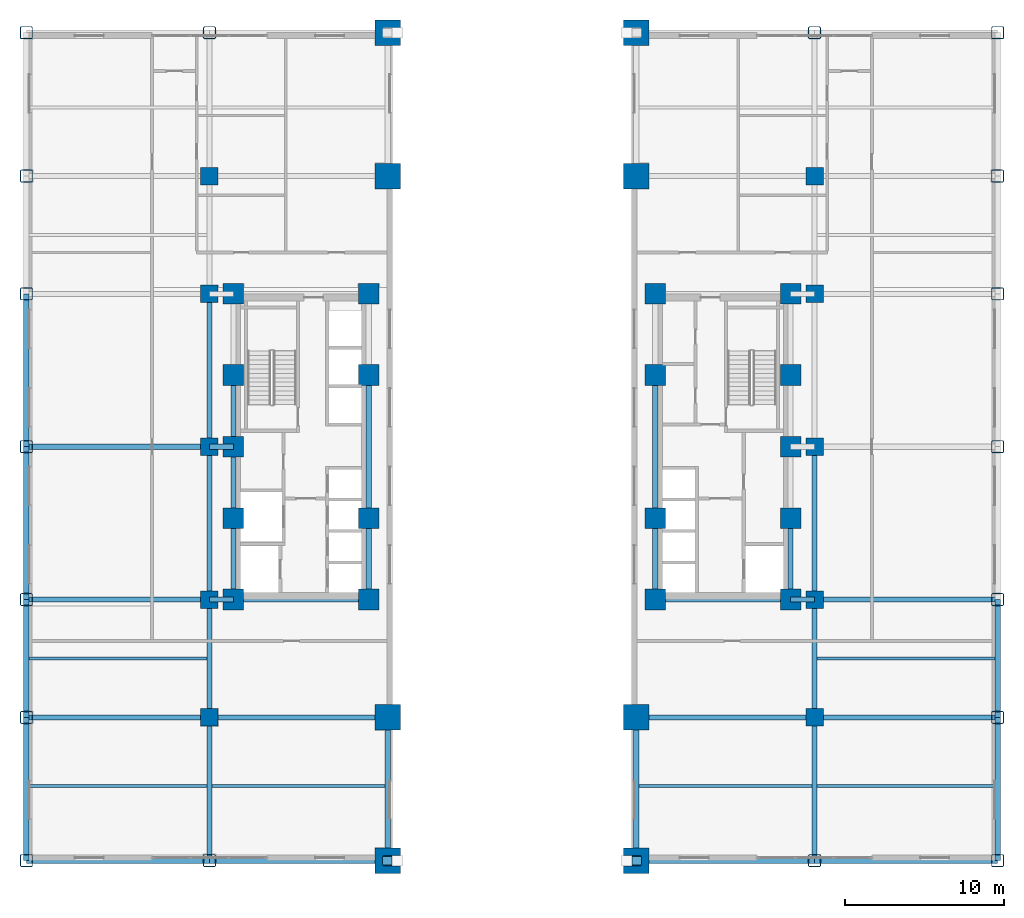
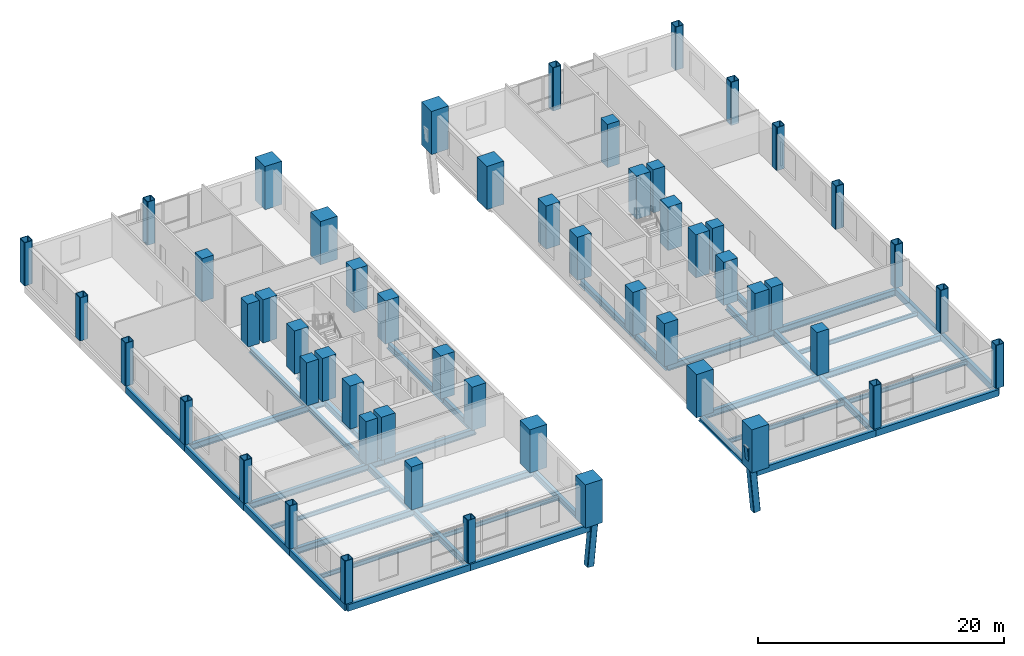
# One storey, part 1 of 15: 54 columns, 47 beams.
"""IFC4 building model written with IfcOpenShell, lengths in metres."""

from ifc_helpers import new_model, si_unit, direction, frame, origin, origin_2d, place, context, subcontext, project, spatial, rectangle, hollow_rectangle, i_section, extrude, material, material_profile, profile_set, type_object, element, save


model = new_model("IFC4")

# Units and contexts
model_context = context("Model", 3, precision=1e-05, world=origin(), true_north=direction((0.0, 1.0)))
body_context = subcontext(model_context, "Body", "Model", "MODEL_VIEW")
ifc_project = project(units=[si_unit("LENGTHUNIT", "METRE"), si_unit("AREAUNIT", "SQUARE_METRE"), si_unit("VOLUMEUNIT", "CUBIC_METRE"), si_unit("PLANEANGLEUNIT", "RADIAN"), si_unit("MASSUNIT", "GRAM", prefix="KILO")], contexts=[model_context])

# Site, building, storey
site_placement = place(None, origin())
site = spatial("IfcSite", under=ifc_project, at=site_placement, CompositionType="ELEMENT")
building_placement = place(site_placement, origin())
building = spatial("IfcBuilding", under=site, at=building_placement, Name="Nuvemarco Arch Tower", CompositionType="ELEMENT")
storey_placement = place(building_placement, frame((0.0, 0.0, 4.60009765625)))
storey = spatial("IfcBuildingStorey", under=building, at=storey_placement, Name="L01", CompositionType="ELEMENT", Elevation=4.60009765625)

# Columns
ifc_material_1 = material(Name="Concrete C60/75", Category="concrete")
ifc_material_profile_1 = material_profile(ifc_material_1, rectangle(XDim=1.10009765625, YDim=1.10009765625, at=origin_2d()), Name="RC-COL-1100x1100")
ifc_profile_set_1 = profile_set([ifc_material_profile_1], Name="Concrete C60/75")
column_type_1 = type_object("IfcColumnType", Name="COL-CORE-1100", PredefinedType="COLUMN", material=ifc_profile_set_1)
for number, where, z_axis, x_axis, name in (
    (1, (-19.0, -17.0, 0.0), (0.0, 0.0, 1.0), (1.0, 0.0, 0.0), "L01 column CP_-19.0_-17.0"),
    (2, (-19.0, -9.60009765625, 0.0), (0.0, 0.0, 1.0), (1.0, 0.0, 0.0), "L01 column CP_-19.0_-9.6"),
    (3, (-19.0, 0.0, 0.0), (0.0, 0.0, 1.0), (1.0, 0.0, 0.0), "L01 column CP_-19.0_+0.0"),
    (4, (-19.0, 9.60009765625, 0.0), (0.0, 0.0, 1.0), (1.0, 0.0, 0.0), "L01 column CP_-19.0_+9.6"),
    (5, (-19.0, 17.0, 0.0), (0.0, 0.0, 1.0), (1.0, 0.0, 0.0), "L01 column CP_-19.0_+17.0"),
    (6, (19.0, -17.0, 0.0), (0.0, 0.0, 1.0), (1.0, 0.0, 0.0), "L01 column CP_+19.0_-17.0"),
    (7, (19.0, -9.60009765625, 0.0), (0.0, 0.0, 1.0), (1.0, 0.0, 0.0), "L01 column CP_+19.0_-9.6"),
    (8, (19.0, 0.0, 0.0), (0.0, 0.0, 1.0), (1.0, 0.0, 0.0), "L01 column CP_+19.0_+0.0"),
    (9, (19.0, 9.60009765625, 0.0), (0.0, 0.0, 1.0), (1.0, 0.0, 0.0), "L01 column CP_+19.0_+9.6"),
    (10, (19.0, 17.0, 0.0), (0.0, 0.0, 1.0), (1.0, 0.0, 0.0), "L01 column CP_+19.0_+17.0"),
):
    element("IfcColumn", number, at=place(storey_placement, frame(where, z_axis=z_axis, x_axis=x_axis)), inside=storey, type_object=column_type_1, Name=name, PredefinedType="COLUMN", context=body_context, shape_type="SweptSolid", body=[
        extrude(rectangle(XDim=1.10009765625, YDim=1.10009765625, at=origin_2d()), origin(), (0.0, 0.0, 1.0), 4.27978515625),
    ])
ifc_material_profile_2 = material_profile(ifc_material_1, rectangle(XDim=1.300048828125, YDim=1.300048828125, at=origin_2d()), Name="RC-COL-1300x1300")
ifc_profile_set_2 = profile_set([ifc_material_profile_2], Name="Concrete C60/75")
column_type_2 = type_object("IfcColumnType", Name="COL-CORE-1300", PredefinedType="COLUMN", material=ifc_profile_set_2)
for number, where, z_axis, x_axis, name in (
    (11, (-17.5, -9.60009765625, 0.0), (0.0, 0.0, 1.0), (1.0, 0.0, 0.0), "L01 column CC_-17.5_-9.6"),
    (12, (-17.5, -4.5, 0.0), (0.0, 0.0, 1.0), (1.0, 0.0, 0.0), "L01 column CC_-17.5_-4.5"),
    (13, (-17.5, 4.5, 0.0), (0.0, 0.0, 1.0), (1.0, 0.0, 0.0), "L01 column CC_-17.5_+4.5"),
    (14, (-17.5, 9.60009765625, 0.0), (0.0, 0.0, 1.0), (1.0, 0.0, 0.0), "L01 column CC_-17.5_+9.6"),
    (15, (-9.0, -9.60009765625, 0.0), (0.0, 0.0, 1.0), (1.0, 0.0, 0.0), "L01 column CC_-9.0_-9.6"),
    (16, (-9.0, -4.5, 0.0), (0.0, 0.0, 1.0), (1.0, 0.0, 0.0), "L01 column CC_-9.0_-4.5"),
    (17, (-9.0, 4.5, 0.0), (0.0, 0.0, 1.0), (1.0, 0.0, 0.0), "L01 column CC_-9.0_+4.5"),
    (18, (-9.0, 9.60009765625, 0.0), (0.0, 0.0, 1.0), (1.0, 0.0, 0.0), "L01 column CC_-9.0_+9.6"),
    (19, (9.0, -9.60009765625, 0.0), (0.0, 0.0, 1.0), (1.0, 0.0, 0.0), "L01 column CC_+9.0_-9.6"),
    (20, (9.0, -4.5, 0.0), (0.0, 0.0, 1.0), (1.0, 0.0, 0.0), "L01 column CC_+9.0_-4.5"),
    (21, (9.0, 4.5, 0.0), (0.0, 0.0, 1.0), (1.0, 0.0, 0.0), "L01 column CC_+9.0_+4.5"),
    (22, (9.0, 9.60009765625, 0.0), (0.0, 0.0, 1.0), (1.0, 0.0, 0.0), "L01 column CC_+9.0_+9.6"),
    (23, (17.5, -9.60009765625, 0.0), (0.0, 0.0, 1.0), (1.0, 0.0, 0.0), "L01 column CC_+17.5_-9.6"),
    (24, (17.5, -4.5, 0.0), (0.0, 0.0, 1.0), (1.0, 0.0, 0.0), "L01 column CC_+17.5_-4.5"),
    (25, (17.5, 4.5, 0.0), (0.0, 0.0, 1.0), (1.0, 0.0, 0.0), "L01 column CC_+17.5_+4.5"),
    (26, (17.5, 9.60009765625, 0.0), (0.0, 0.0, 1.0), (1.0, 0.0, 0.0), "L01 column CC_+17.5_+9.6"),
    (27, (-17.5, 0.0, 0.0), (0.0, 0.0, 1.0), (1.0, 0.0, 0.0), "L01 column CC_-17.5_+0.0"),
    (28, (17.5, 0.0, 0.0), (0.0, 0.0, 1.0), (1.0, 0.0, 0.0), "L01 column CC_+17.5_+0.0"),
):
    element("IfcColumn", number, at=place(storey_placement, frame(where, z_axis=z_axis, x_axis=x_axis)), inside=storey, type_object=column_type_2, Name=name, PredefinedType="COLUMN", context=body_context, shape_type="SweptSolid", body=[
        extrude(rectangle(XDim=1.300048828125, YDim=1.300048828125, at=origin_2d()), origin(), (0.0, 0.0, 1.0), 4.27978515625),
    ])
ifc_material_2 = material(Name="Steel S460", Category="steel")
ifc_material_profile_3 = material_profile(ifc_material_2, hollow_rectangle(XDim=0.800048828125, YDim=0.800048828125, WallThickness=0.054931640625, InnerFilletRadius=0.054931640625, OuterFilletRadius=0.110107421875, at=origin_2d()), Name="SHS800x800x55")
ifc_profile_set_3 = profile_set([ifc_material_profile_3], Name="Steel S460")
column_type_3 = type_object("IfcColumnType", Name="COL-EXO-800", PredefinedType="COLUMN", material=ifc_profile_set_3)
for number, where, z_axis, x_axis, name in (
    (29, (-30.5, -26.0, 0.0), (0.0, 0.0, 1.0), (1.0, 0.0, 0.0), "L01 column CP_-30.5_-26.0"),
    (30, (-30.5, -17.0, 0.0), (0.0, 0.0, 1.0), (1.0, 0.0, 0.0), "L01 column CP_-30.5_-17.0"),
    (31, (-30.5, -9.60009765625, 0.0), (0.0, 0.0, 1.0), (1.0, 0.0, 0.0), "L01 column CP_-30.5_-9.6"),
    (32, (-30.5, 0.0, 0.0), (0.0, 0.0, 1.0), (1.0, 0.0, 0.0), "L01 column CP_-30.5_+0.0"),
    (33, (-30.5, 9.60009765625, 0.0), (0.0, 0.0, 1.0), (1.0, 0.0, 0.0), "L01 column CP_-30.5_+9.6"),
    (34, (-30.5, 17.0, 0.0), (0.0, 0.0, 1.0), (1.0, 0.0, 0.0), "L01 column CP_-30.5_+17.0"),
    (35, (-30.5, 26.0, 0.0), (0.0, 0.0, 1.0), (1.0, 0.0, 0.0), "L01 column CP_-30.5_+26.0"),
    (36, (-19.0, -26.0, 0.0), (0.0, 0.0, 1.0), (1.0, 0.0, 0.0), "L01 column CP_-19.0_-26.0"),
    (37, (-19.0, 26.0, 0.0), (0.0, 0.0, 1.0), (1.0, 0.0, 0.0), "L01 column CP_-19.0_+26.0"),
    (38, (19.0, -26.0, 0.0), (0.0, 0.0, 1.0), (1.0, 0.0, 0.0), "L01 column CP_+19.0_-26.0"),
    (39, (19.0, 26.0, 0.0), (0.0, 0.0, 1.0), (1.0, 0.0, 0.0), "L01 column CP_+19.0_+26.0"),
    (40, (30.5, -26.0, 0.0), (0.0, 0.0, 1.0), (1.0, 0.0, 0.0), "L01 column CP_+30.5_-26.0"),
    (41, (30.5, -17.0, 0.0), (0.0, 0.0, 1.0), (1.0, 0.0, 0.0), "L01 column CP_+30.5_-17.0"),
    (42, (30.5, -9.60009765625, 0.0), (0.0, 0.0, 1.0), (1.0, 0.0, 0.0), "L01 column CP_+30.5_-9.6"),
    (43, (30.5, 0.0, 0.0), (0.0, 0.0, 1.0), (1.0, 0.0, 0.0), "L01 column CP_+30.5_+0.0"),
    (44, (30.5, 9.60009765625, 0.0), (0.0, 0.0, 1.0), (1.0, 0.0, 0.0), "L01 column CP_+30.5_+9.6"),
    (45, (30.5, 17.0, 0.0), (0.0, 0.0, 1.0), (1.0, 0.0, 0.0), "L01 column CP_+30.5_+17.0"),
    (46, (30.5, 26.0, 0.0), (0.0, 0.0, 1.0), (1.0, 0.0, 0.0), "L01 column CP_+30.5_+26.0"),
):
    element("IfcColumn", number, at=place(storey_placement, frame(where, z_axis=z_axis, x_axis=x_axis)), inside=storey, type_object=column_type_3, Name=name, PredefinedType="COLUMN", context=body_context, shape_type="SweptSolid", body=[
        extrude(hollow_rectangle(XDim=0.800048828125, YDim=0.800048828125, WallThickness=0.054931640625, InnerFilletRadius=0.054931640625, OuterFilletRadius=0.110107421875, at=origin_2d()), origin(), (0.0, 0.0, 1.0), 4.27978515625),
    ])
ifc_material_profile_4 = material_profile(ifc_material_1, rectangle(XDim=1.60009765625, YDim=1.60009765625, at=origin_2d()), Name="RC-COL-1600x1600")
ifc_profile_set_4 = profile_set([ifc_material_profile_4], Name="Concrete C60/75")
column_type_4 = type_object("IfcColumnType", Name="COL-MEGA-1600-EXT", PredefinedType="COLUMN", material=ifc_profile_set_4)
for number, where, z_axis, x_axis, name in (
    (47, (-7.800048828125, -26.0, 0.0), (0.0, 0.0, 1.0), (1.0, 0.0, 0.0), "L01 column CM_-7.8_-26.0"),
    (48, (-7.800048828125, -17.0, 0.0), (0.0, 0.0, 1.0), (1.0, 0.0, 0.0), "L01 column CM_-7.8_-17.0"),
    (49, (-7.800048828125, 17.0, 0.0), (0.0, 0.0, 1.0), (1.0, 0.0, 0.0), "L01 column CM_-7.8_+17.0"),
    (50, (-7.800048828125, 26.0, 0.0), (0.0, 0.0, 1.0), (1.0, 0.0, 0.0), "L01 column CM_-7.8_+26.0"),
    (51, (7.800048828125, -26.0, 0.0), (0.0, 0.0, 1.0), (1.0, 0.0, 0.0), "L01 column CM_+7.8_-26.0"),
    (52, (7.800048828125, -17.0, 0.0), (0.0, 0.0, 1.0), (1.0, 0.0, 0.0), "L01 column CM_+7.8_-17.0"),
    (53, (7.800048828125, 17.0, 0.0), (0.0, 0.0, 1.0), (1.0, 0.0, 0.0), "L01 column CM_+7.8_+17.0"),
    (54, (7.800048828125, 26.0, 0.0), (0.0, 0.0, 1.0), (1.0, 0.0, 0.0), "L01 column CM_+7.8_+26.0"),
):
    element("IfcColumn", number, at=place(storey_placement, frame(where, z_axis=z_axis, x_axis=x_axis)), inside=storey, type_object=column_type_4, Name=name, PredefinedType="COLUMN", context=body_context, shape_type="SweptSolid", body=[
        extrude(rectangle(XDim=1.60009765625, YDim=1.60009765625, at=origin_2d()), origin(), (0.0, 0.0, 1.0), 4.27978515625),
    ])

# Beams
ifc_material_3 = material(Name="Steel S355", Category="steel")
ifc_material_profile_5 = material_profile(ifc_material_3, hollow_rectangle(XDim=0.64990234375, YDim=0.64990234375, WallThickness=0.0400390625, InnerFilletRadius=0.0400390625, OuterFilletRadius=0.080078125, at=origin_2d()), Name="SHS650x650x40")
ifc_profile_set_5 = profile_set([ifc_material_profile_5], Name="Steel S355")
beam_type_1 = type_object("IfcBeamType", Name="BM-ARCH-RIB", PredefinedType="BEAM", material=ifc_profile_set_5)
for number, where, z_axis, x_axis, name in (
    (55, (-7.800048828125, -26.0, -4.400146484375), (0.090549032051, 0.0, 0.995891998559), (0.0, 1.0, 0.0), "Monumental portal arch rib segment S-1"),
    (56, (7.199951171875, -26.0, 2.199951171875), (0.090549032051, 0.0, -0.995891998559), (0.0, 1.0, 0.0), "Monumental portal arch rib segment S-6"),
):
    element("IfcBeam", number, at=place(storey_placement, frame(where, z_axis=z_axis, x_axis=x_axis)), inside=storey, type_object=beam_type_1, Name=name, PredefinedType="BEAM", context=body_context, shape_type="SweptSolid", body=[
        extrude(hollow_rectangle(XDim=0.64990234375, YDim=0.64990234375, WallThickness=0.0400390625, InnerFilletRadius=0.0400390625, OuterFilletRadius=0.080078125, at=origin_2d()), origin(), (0.0, 0.0, 1.0), 6.62744140625),
    ])
ifc_material_profile_6 = material_profile(ifc_material_3, i_section(OverallWidth=0.324951171875, OverallDepth=0.615966796875, WebThickness=0.013916015625, FlangeThickness=0.021484375, FilletRadius=0.01611328125, at=origin_2d()), Name="W610x174")
ifc_profile_set_6 = profile_set([ifc_material_profile_6], Name="Steel S355")
beam_type_2 = type_object("IfcBeamType", Name="BM-GIRD-610H", PredefinedType="BEAM", material=ifc_profile_set_6)
beam_1_placement = place(storey_placement, frame((-19.0, -26.0, -0.628173828125), z_axis=(0.0, 1.0, 0.0), x_axis=(-1.0, 0.0, 0.0)))
element("IfcBeam", 57, at=beam_1_placement, inside=storey, type_object=beam_type_2, Name="L01 structural beam BGNS_L01_0_-19.0_-26.0", PredefinedType="BEAM", context=body_context, shape_type="SweptSolid", body=[
    extrude(i_section(OverallWidth=0.324951171875, OverallDepth=0.615966796875, WebThickness=0.013916015625, FlangeThickness=0.021484375, FilletRadius=0.01611328125, at=origin_2d()), origin(), (0.0, 0.0, 1.0), 9.0),
])
beam_2_placement = place(storey_placement, frame((-19.0, -17.0, -0.628173828125), z_axis=(0.0, 1.0, 0.0), x_axis=(-1.0, 0.0, 0.0)))
element("IfcBeam", 58, at=beam_2_placement, inside=storey, type_object=beam_type_2, Name="L01 structural beam BGNS_L01_0_-19.0_-17.0", PredefinedType="BEAM", context=body_context, shape_type="SweptSolid", body=[
    extrude(i_section(OverallWidth=0.324951171875, OverallDepth=0.615966796875, WebThickness=0.013916015625, FlangeThickness=0.021484375, FilletRadius=0.01611328125, at=origin_2d()), origin(), (0.0, 0.0, 1.0), 7.39990234375),
])
for number, where, z_axis, x_axis, name in (
    (59, (-19.0, -9.60009765625, -0.628173828125), (0.0, 1.0, 0.0), (-1.0, 0.0, 0.0), "L01 structural beam BGNS_L01_0_-19.0_-9.6"),
    (60, (-19.0, 0.0, -0.628173828125), (0.0, 1.0, 0.0), (-1.0, 0.0, 0.0), "L01 structural beam BGNS_L01_0_-19.0_+0.0"),
):
    element("IfcBeam", number, at=place(storey_placement, frame(where, z_axis=z_axis, x_axis=x_axis)), inside=storey, type_object=beam_type_2, Name=name, PredefinedType="BEAM", context=body_context, shape_type="SweptSolid", body=[
        extrude(i_section(OverallWidth=0.324951171875, OverallDepth=0.615966796875, WebThickness=0.013916015625, FlangeThickness=0.021484375, FilletRadius=0.01611328125, at=origin_2d()), origin(), (0.0, 0.0, 1.0), 9.60009765625),
    ])
beam_3_placement = place(storey_placement, frame((-17.5, -9.60009765625, -0.628173828125), z_axis=(0.0, 1.0, 0.0), x_axis=(-1.0, 0.0, 0.0)))
element("IfcBeam", 61, at=beam_3_placement, inside=storey, type_object=beam_type_2, Name="L01 structural beam BGNS_L01_0_-17.5_-9.6", PredefinedType="BEAM", context=body_context, shape_type="SweptSolid", body=[
    extrude(i_section(OverallWidth=0.324951171875, OverallDepth=0.615966796875, WebThickness=0.013916015625, FlangeThickness=0.021484375, FilletRadius=0.01611328125, at=origin_2d()), origin(), (0.0, 0.0, 1.0), 5.10009765625),
])
for number, where, z_axis, x_axis, name in (
    (62, (-17.5, -4.5, -0.628173828125), (0.0, 1.0, 0.0), (-1.0, 0.0, 0.0), "L01 structural beam BGNS_L01_0_-17.5_-4.5"),
    (63, (-17.5, 0.0, -0.628173828125), (0.0, 1.0, 0.0), (-1.0, 0.0, 0.0), "L01 structural beam BGNS_L01_0_-17.5_+0.0"),
):
    element("IfcBeam", number, at=place(storey_placement, frame(where, z_axis=z_axis, x_axis=x_axis)), inside=storey, type_object=beam_type_2, Name=name, PredefinedType="BEAM", context=body_context, shape_type="SweptSolid", body=[
        extrude(i_section(OverallWidth=0.324951171875, OverallDepth=0.615966796875, WebThickness=0.013916015625, FlangeThickness=0.021484375, FilletRadius=0.01611328125, at=origin_2d()), origin(), (0.0, 0.0, 1.0), 4.5),
    ])
beam_4_placement = place(storey_placement, frame((-9.0, -9.60009765625, -0.628173828125), z_axis=(0.0, 1.0, 0.0), x_axis=(-1.0, 0.0, 0.0)))
element("IfcBeam", 64, at=beam_4_placement, inside=storey, type_object=beam_type_2, Name="L01 structural beam BGNS_L01_0_-9.0_-9.6", PredefinedType="BEAM", context=body_context, shape_type="SweptSolid", body=[
    extrude(i_section(OverallWidth=0.324951171875, OverallDepth=0.615966796875, WebThickness=0.013916015625, FlangeThickness=0.021484375, FilletRadius=0.01611328125, at=origin_2d()), origin(), (0.0, 0.0, 1.0), 5.10009765625),
])
for number, where, z_axis, x_axis, name in (
    (65, (-9.0, -4.5, -0.628173828125), (0.0, 1.0, 0.0), (-1.0, 0.0, 0.0), "L01 structural beam BGNS_L01_0_-9.0_-4.5"),
    (66, (-7.800048828125, -26.0, -0.628173828125), (0.0, 1.0, 0.0), (-1.0, 0.0, 0.0), "L01 structural beam BGNS_L01_0_-7.8_-26.0"),
):
    element("IfcBeam", number, at=place(storey_placement, frame(where, z_axis=z_axis, x_axis=x_axis)), inside=storey, type_object=beam_type_2, Name=name, PredefinedType="BEAM", context=body_context, shape_type="SweptSolid", body=[
        extrude(i_section(OverallWidth=0.324951171875, OverallDepth=0.615966796875, WebThickness=0.013916015625, FlangeThickness=0.021484375, FilletRadius=0.01611328125, at=origin_2d()), origin(), (0.0, 0.0, 1.0), 9.0),
    ])
beam_5_placement = place(storey_placement, frame((-30.5, -17.0, -0.628173828125), z_axis=(1.0, 0.0, 0.0), x_axis=(0.0, 1.0, 0.0)))
element("IfcBeam", 67, at=beam_5_placement, inside=storey, type_object=beam_type_2, Name="L01 structural beam BGEW_L01_0_-17.0_-30.5", PredefinedType="BEAM", context=body_context, shape_type="SweptSolid", body=[
    extrude(i_section(OverallWidth=0.324951171875, OverallDepth=0.615966796875, WebThickness=0.013916015625, FlangeThickness=0.021484375, FilletRadius=0.01611328125, at=origin_2d()), origin(), (0.0, 0.0, 1.0), 11.5),
])
beam_6_placement = place(storey_placement, frame((-19.0, -17.0, -0.628173828125), z_axis=(1.0, 0.0, 0.0), x_axis=(0.0, 1.0, 0.0)))
element("IfcBeam", 68, at=beam_6_placement, inside=storey, type_object=beam_type_2, Name="L01 structural beam BGEW_L01_0_-17.0_-19.0", PredefinedType="BEAM", context=body_context, shape_type="SweptSolid", body=[
    extrude(i_section(OverallWidth=0.324951171875, OverallDepth=0.615966796875, WebThickness=0.013916015625, FlangeThickness=0.021484375, FilletRadius=0.01611328125, at=origin_2d()), origin(), (0.0, 0.0, 1.0), 11.199951171875),
])
beam_7_placement = place(storey_placement, frame((-30.5, -9.60009765625, -0.628173828125), z_axis=(1.0, 0.0, 0.0), x_axis=(0.0, 1.0, 0.0)))
element("IfcBeam", 69, at=beam_7_placement, inside=storey, type_object=beam_type_2, Name="L01 structural beam BGEW_L01_0_-9.6_-30.5", PredefinedType="BEAM", context=body_context, shape_type="SweptSolid", body=[
    extrude(i_section(OverallWidth=0.324951171875, OverallDepth=0.615966796875, WebThickness=0.013916015625, FlangeThickness=0.021484375, FilletRadius=0.01611328125, at=origin_2d()), origin(), (0.0, 0.0, 1.0), 11.5),
])
beam_8_placement = place(storey_placement, frame((-19.0, -9.60009765625, -0.628173828125), z_axis=(1.0, 0.0, 0.0), x_axis=(0.0, 1.0, 0.0)))
element("IfcBeam", 70, at=beam_8_placement, inside=storey, type_object=beam_type_2, Name="L01 structural beam BGEW_L01_0_-9.6_-19.0", PredefinedType="BEAM", context=body_context, shape_type="SweptSolid", body=[
    extrude(i_section(OverallWidth=0.324951171875, OverallDepth=0.615966796875, WebThickness=0.013916015625, FlangeThickness=0.021484375, FilletRadius=0.01611328125, at=origin_2d()), origin(), (0.0, 0.0, 1.0), 1.5),
])
beam_9_placement = place(storey_placement, frame((-17.5, -9.60009765625, -0.628173828125), z_axis=(1.0, 0.0, 0.0), x_axis=(0.0, 1.0, 0.0)))
element("IfcBeam", 71, at=beam_9_placement, inside=storey, type_object=beam_type_2, Name="L01 structural beam BGEW_L01_0_-9.6_-17.5", PredefinedType="BEAM", context=body_context, shape_type="SweptSolid", body=[
    extrude(i_section(OverallWidth=0.324951171875, OverallDepth=0.615966796875, WebThickness=0.013916015625, FlangeThickness=0.021484375, FilletRadius=0.01611328125, at=origin_2d()), origin(), (0.0, 0.0, 1.0), 8.5),
])
beam_10_placement = place(storey_placement, frame((-30.5, 0.0, -0.628173828125), z_axis=(1.0, 0.0, 0.0), x_axis=(0.0, 1.0, 0.0)))
element("IfcBeam", 72, at=beam_10_placement, inside=storey, type_object=beam_type_2, Name="L01 structural beam BGEW_L01_0_+0.0_-30.5", PredefinedType="BEAM", context=body_context, shape_type="SweptSolid", body=[
    extrude(i_section(OverallWidth=0.324951171875, OverallDepth=0.615966796875, WebThickness=0.013916015625, FlangeThickness=0.021484375, FilletRadius=0.01611328125, at=origin_2d()), origin(), (0.0, 0.0, 1.0), 11.5),
])
beam_11_placement = place(storey_placement, frame((-19.0, 0.0, -0.628173828125), z_axis=(1.0, 0.0, 0.0), x_axis=(0.0, 1.0, 0.0)))
element("IfcBeam", 73, at=beam_11_placement, inside=storey, type_object=beam_type_2, Name="L01 structural beam BGEW_L01_0_+0.0_-19.0", PredefinedType="BEAM", context=body_context, shape_type="SweptSolid", body=[
    extrude(i_section(OverallWidth=0.324951171875, OverallDepth=0.615966796875, WebThickness=0.013916015625, FlangeThickness=0.021484375, FilletRadius=0.01611328125, at=origin_2d()), origin(), (0.0, 0.0, 1.0), 1.5),
])
beam_12_placement = place(storey_placement, frame((7.800048828125, -26.0, -0.628173828125), z_axis=(0.0, 1.0, 0.0), x_axis=(-1.0, 0.0, 0.0)))
element("IfcBeam", 74, at=beam_12_placement, inside=storey, type_object=beam_type_2, Name="L01 structural beam BGNS_L01_1_+7.8_-26.0", PredefinedType="BEAM", context=body_context, shape_type="SweptSolid", body=[
    extrude(i_section(OverallWidth=0.324951171875, OverallDepth=0.615966796875, WebThickness=0.013916015625, FlangeThickness=0.021484375, FilletRadius=0.01611328125, at=origin_2d()), origin(), (0.0, 0.0, 1.0), 9.0),
])
beam_13_placement = place(storey_placement, frame((9.0, -9.60009765625, -0.628173828125), z_axis=(0.0, 1.0, 0.0), x_axis=(-1.0, 0.0, 0.0)))
element("IfcBeam", 75, at=beam_13_placement, inside=storey, type_object=beam_type_2, Name="L01 structural beam BGNS_L01_1_+9.0_-9.6", PredefinedType="BEAM", context=body_context, shape_type="SweptSolid", body=[
    extrude(i_section(OverallWidth=0.324951171875, OverallDepth=0.615966796875, WebThickness=0.013916015625, FlangeThickness=0.021484375, FilletRadius=0.01611328125, at=origin_2d()), origin(), (0.0, 0.0, 1.0), 5.10009765625),
])
beam_14_placement = place(storey_placement, frame((9.0, -4.5, -0.628173828125), z_axis=(0.0, 1.0, 0.0), x_axis=(-1.0, 0.0, 0.0)))
element("IfcBeam", 76, at=beam_14_placement, inside=storey, type_object=beam_type_2, Name="L01 structural beam BGNS_L01_1_+9.0_-4.5", PredefinedType="BEAM", context=body_context, shape_type="SweptSolid", body=[
    extrude(i_section(OverallWidth=0.324951171875, OverallDepth=0.615966796875, WebThickness=0.013916015625, FlangeThickness=0.021484375, FilletRadius=0.01611328125, at=origin_2d()), origin(), (0.0, 0.0, 1.0), 9.0),
])
beam_15_placement = place(storey_placement, frame((17.5, -9.60009765625, -0.628173828125), z_axis=(0.0, 1.0, 0.0), x_axis=(-1.0, 0.0, 0.0)))
element("IfcBeam", 77, at=beam_15_placement, inside=storey, type_object=beam_type_2, Name="L01 structural beam BGNS_L01_1_+17.5_-9.6", PredefinedType="BEAM", context=body_context, shape_type="SweptSolid", body=[
    extrude(i_section(OverallWidth=0.324951171875, OverallDepth=0.615966796875, WebThickness=0.013916015625, FlangeThickness=0.021484375, FilletRadius=0.01611328125, at=origin_2d()), origin(), (0.0, 0.0, 1.0), 5.10009765625),
])
beam_16_placement = place(storey_placement, frame((19.0, -26.0, -0.628173828125), z_axis=(0.0, 1.0, 0.0), x_axis=(-1.0, 0.0, 0.0)))
element("IfcBeam", 78, at=beam_16_placement, inside=storey, type_object=beam_type_2, Name="L01 structural beam BGNS_L01_1_+19.0_-26.0", PredefinedType="BEAM", context=body_context, shape_type="SweptSolid", body=[
    extrude(i_section(OverallWidth=0.324951171875, OverallDepth=0.615966796875, WebThickness=0.013916015625, FlangeThickness=0.021484375, FilletRadius=0.01611328125, at=origin_2d()), origin(), (0.0, 0.0, 1.0), 9.0),
])
beam_17_placement = place(storey_placement, frame((19.0, -17.0, -0.628173828125), z_axis=(0.0, 1.0, 0.0), x_axis=(-1.0, 0.0, 0.0)))
element("IfcBeam", 79, at=beam_17_placement, inside=storey, type_object=beam_type_2, Name="L01 structural beam BGNS_L01_1_+19.0_-17.0", PredefinedType="BEAM", context=body_context, shape_type="SweptSolid", body=[
    extrude(i_section(OverallWidth=0.324951171875, OverallDepth=0.615966796875, WebThickness=0.013916015625, FlangeThickness=0.021484375, FilletRadius=0.01611328125, at=origin_2d()), origin(), (0.0, 0.0, 1.0), 7.39990234375),
])
beam_18_placement = place(storey_placement, frame((19.0, -9.60009765625, -0.628173828125), z_axis=(0.0, 1.0, 0.0), x_axis=(-1.0, 0.0, 0.0)))
element("IfcBeam", 80, at=beam_18_placement, inside=storey, type_object=beam_type_2, Name="L01 structural beam BGNS_L01_1_+19.0_-9.6", PredefinedType="BEAM", context=body_context, shape_type="SweptSolid", body=[
    extrude(i_section(OverallWidth=0.324951171875, OverallDepth=0.615966796875, WebThickness=0.013916015625, FlangeThickness=0.021484375, FilletRadius=0.01611328125, at=origin_2d()), origin(), (0.0, 0.0, 1.0), 9.60009765625),
])
beam_19_placement = place(storey_placement, frame((7.800048828125, -17.0, -0.628173828125), z_axis=(1.0, 0.0, 0.0), x_axis=(0.0, 1.0, 0.0)))
element("IfcBeam", 81, at=beam_19_placement, inside=storey, type_object=beam_type_2, Name="L01 structural beam BGEW_L01_1_-17.0_+7.8", PredefinedType="BEAM", context=body_context, shape_type="SweptSolid", body=[
    extrude(i_section(OverallWidth=0.324951171875, OverallDepth=0.615966796875, WebThickness=0.013916015625, FlangeThickness=0.021484375, FilletRadius=0.01611328125, at=origin_2d()), origin(), (0.0, 0.0, 1.0), 11.199951171875),
])
beam_20_placement = place(storey_placement, frame((19.0, -17.0, -0.628173828125), z_axis=(1.0, 0.0, 0.0), x_axis=(0.0, 1.0, 0.0)))
element("IfcBeam", 82, at=beam_20_placement, inside=storey, type_object=beam_type_2, Name="L01 structural beam BGEW_L01_1_-17.0_+19.0", PredefinedType="BEAM", context=body_context, shape_type="SweptSolid", body=[
    extrude(i_section(OverallWidth=0.324951171875, OverallDepth=0.615966796875, WebThickness=0.013916015625, FlangeThickness=0.021484375, FilletRadius=0.01611328125, at=origin_2d()), origin(), (0.0, 0.0, 1.0), 11.5),
])
beam_21_placement = place(storey_placement, frame((9.0, -9.60009765625, -0.628173828125), z_axis=(1.0, 0.0, 0.0), x_axis=(0.0, 1.0, 0.0)))
element("IfcBeam", 83, at=beam_21_placement, inside=storey, type_object=beam_type_2, Name="L01 structural beam BGEW_L01_1_-9.6_+9.0", PredefinedType="BEAM", context=body_context, shape_type="SweptSolid", body=[
    extrude(i_section(OverallWidth=0.324951171875, OverallDepth=0.615966796875, WebThickness=0.013916015625, FlangeThickness=0.021484375, FilletRadius=0.01611328125, at=origin_2d()), origin(), (0.0, 0.0, 1.0), 8.5),
])
beam_22_placement = place(storey_placement, frame((17.5, -9.60009765625, -0.628173828125), z_axis=(1.0, 0.0, 0.0), x_axis=(0.0, 1.0, 0.0)))
element("IfcBeam", 84, at=beam_22_placement, inside=storey, type_object=beam_type_2, Name="L01 structural beam BGEW_L01_1_-9.6_+17.5", PredefinedType="BEAM", context=body_context, shape_type="SweptSolid", body=[
    extrude(i_section(OverallWidth=0.324951171875, OverallDepth=0.615966796875, WebThickness=0.013916015625, FlangeThickness=0.021484375, FilletRadius=0.01611328125, at=origin_2d()), origin(), (0.0, 0.0, 1.0), 1.5),
])
beam_23_placement = place(storey_placement, frame((19.0, -9.60009765625, -0.628173828125), z_axis=(1.0, 0.0, 0.0), x_axis=(0.0, 1.0, 0.0)))
element("IfcBeam", 85, at=beam_23_placement, inside=storey, type_object=beam_type_2, Name="L01 structural beam BGEW_L01_1_-9.6_+19.0", PredefinedType="BEAM", context=body_context, shape_type="SweptSolid", body=[
    extrude(i_section(OverallWidth=0.324951171875, OverallDepth=0.615966796875, WebThickness=0.013916015625, FlangeThickness=0.021484375, FilletRadius=0.01611328125, at=origin_2d()), origin(), (0.0, 0.0, 1.0), 11.5),
])
ifc_material_profile_7 = material_profile(ifc_material_3, i_section(OverallWidth=0.179931640625, OverallDepth=0.4130859375, WebThickness=0.009765625, FlangeThickness=0.01611328125, FilletRadius=0.014892578125, at=origin_2d()), Name="W410x75")
ifc_profile_set_7 = profile_set([ifc_material_profile_7], Name="Steel S355")
beam_type_3 = type_object("IfcBeamType", Name="BM-JOIST-410", PredefinedType="JOIST", material=ifc_profile_set_7)
beam_24_placement = place(storey_placement, frame((-30.324951171875, -21.300048828125, -0.526611328125), z_axis=(1.0, 0.0, 0.0), x_axis=(0.0, 1.0, 0.0)))
element("IfcBeam", 86, at=beam_24_placement, inside=storey, type_object=beam_type_3, Name="L01 structural beam BJ_L01_0_-21.3_-30.5", PredefinedType="JOIST", context=body_context, shape_type="SweptSolid", body=[
    extrude(i_section(OverallWidth=0.179931640625, OverallDepth=0.4130859375, WebThickness=0.009765625, FlangeThickness=0.01611328125, FilletRadius=0.014892578125, at=origin_2d()), origin(), (0.0, 0.0, 1.0), 11.162353515625),
])
beam_25_placement = place(storey_placement, frame((-18.83740234375, -21.300048828125, -0.526611328125), z_axis=(1.0, 0.0, 0.0), x_axis=(0.0, 1.0, 0.0)))
element("IfcBeam", 87, at=beam_25_placement, inside=storey, type_object=beam_type_3, Name="L01 structural beam BJ_L01_0_-21.3_-19.0", PredefinedType="JOIST", context=body_context, shape_type="SweptSolid", body=[
    extrude(i_section(OverallWidth=0.179931640625, OverallDepth=0.4130859375, WebThickness=0.009765625, FlangeThickness=0.01611328125, FilletRadius=0.014892578125, at=origin_2d()), origin(), (0.0, 0.0, 1.0), 10.875),
])
beam_26_placement = place(storey_placement, frame((-30.324951171875, -13.300048828125, -0.526611328125), z_axis=(1.0, 0.0, 0.0), x_axis=(0.0, 1.0, 0.0)))
element("IfcBeam", 88, at=beam_26_placement, inside=storey, type_object=beam_type_3, Name="L01 structural beam BJ_L01_0_-13.3_-30.5", PredefinedType="JOIST", context=body_context, shape_type="SweptSolid", body=[
    extrude(i_section(OverallWidth=0.179931640625, OverallDepth=0.4130859375, WebThickness=0.009765625, FlangeThickness=0.01611328125, FilletRadius=0.014892578125, at=origin_2d()), origin(), (0.0, 0.0, 1.0), 11.162353515625),
])
beam_27_placement = place(storey_placement, frame((7.96240234375, -21.300048828125, -0.526611328125), z_axis=(1.0, 0.0, 0.0), x_axis=(0.0, 1.0, 0.0)))
element("IfcBeam", 89, at=beam_27_placement, inside=storey, type_object=beam_type_3, Name="L01 structural beam BJ_L01_1_-21.3_+7.8", PredefinedType="JOIST", context=body_context, shape_type="SweptSolid", body=[
    extrude(i_section(OverallWidth=0.179931640625, OverallDepth=0.4130859375, WebThickness=0.009765625, FlangeThickness=0.01611328125, FilletRadius=0.014892578125, at=origin_2d()), origin(), (0.0, 0.0, 1.0), 10.875),
])
for number, where, z_axis, x_axis, name in (
    (90, (19.16259765625, -21.300048828125, -0.526611328125), (1.0, 0.0, 0.0), (0.0, 1.0, 0.0), "L01 structural beam BJ_L01_1_-21.3_+19.0"),
    (91, (19.16259765625, -13.300048828125, -0.526611328125), (1.0, 0.0, 0.0), (0.0, 1.0, 0.0), "L01 structural beam BJ_L01_1_-13.3_+19.0"),
):
    element("IfcBeam", number, at=place(storey_placement, frame(where, z_axis=z_axis, x_axis=x_axis)), inside=storey, type_object=beam_type_3, Name=name, PredefinedType="JOIST", context=body_context, shape_type="SweptSolid", body=[
        extrude(i_section(OverallWidth=0.179931640625, OverallDepth=0.4130859375, WebThickness=0.009765625, FlangeThickness=0.01611328125, FilletRadius=0.014892578125, at=origin_2d()), origin(), (0.0, 0.0, 1.0), 11.162353515625),
    ])
ifc_material_4 = material(Name="Precast concrete C45/55", Category="concrete")
ifc_material_profile_8 = material_profile(ifc_material_4, rectangle(XDim=0.35009765625, YDim=0.64990234375, at=origin_2d()), Name="PC-SP-350x650")
ifc_profile_set_8 = profile_set([ifc_material_profile_8], Name="Precast concrete C45/55")
beam_type_4 = type_object("IfcBeamType", Name="BM-SPAN-RC", PredefinedType="SPANDREL", material=ifc_profile_set_8)
beam_28_placement = place(storey_placement, frame((-30.5, -26.0, -0.64501953125), z_axis=(0.0, 1.0, 0.0), x_axis=(-1.0, 0.0, 0.0)))
element("IfcBeam", 92, at=beam_28_placement, inside=storey, type_object=beam_type_4, Name="L01 structural beam BGNS_L01_0_-30.5_-26.0", PredefinedType="SPANDREL", context=body_context, shape_type="SweptSolid", body=[
    extrude(rectangle(XDim=0.35009765625, YDim=0.64990234375, at=origin_2d()), origin(), (0.0, 0.0, 1.0), 9.0),
])
beam_29_placement = place(storey_placement, frame((-30.5, -17.0, -0.64501953125), z_axis=(0.0, 1.0, 0.0), x_axis=(-1.0, 0.0, 0.0)))
element("IfcBeam", 93, at=beam_29_placement, inside=storey, type_object=beam_type_4, Name="L01 structural beam BGNS_L01_0_-30.5_-17.0", PredefinedType="SPANDREL", context=body_context, shape_type="SweptSolid", body=[
    extrude(rectangle(XDim=0.35009765625, YDim=0.64990234375, at=origin_2d()), origin(), (0.0, 0.0, 1.0), 7.39990234375),
])
for number, where, z_axis, x_axis, name in (
    (94, (-30.5, -9.60009765625, -0.64501953125), (0.0, 1.0, 0.0), (-1.0, 0.0, 0.0), "L01 structural beam BGNS_L01_0_-30.5_-9.6"),
    (95, (-30.5, 0.0, -0.64501953125), (0.0, 1.0, 0.0), (-1.0, 0.0, 0.0), "L01 structural beam BGNS_L01_0_-30.5_+0.0"),
):
    element("IfcBeam", number, at=place(storey_placement, frame(where, z_axis=z_axis, x_axis=x_axis)), inside=storey, type_object=beam_type_4, Name=name, PredefinedType="SPANDREL", context=body_context, shape_type="SweptSolid", body=[
        extrude(rectangle(XDim=0.35009765625, YDim=0.64990234375, at=origin_2d()), origin(), (0.0, 0.0, 1.0), 9.60009765625),
    ])
beam_30_placement = place(storey_placement, frame((-30.5, -26.0, -0.64501953125), z_axis=(1.0, 0.0, 0.0), x_axis=(0.0, 1.0, 0.0)))
element("IfcBeam", 96, at=beam_30_placement, inside=storey, type_object=beam_type_4, Name="L01 structural beam BGEW_L01_0_-26.0_-30.5", PredefinedType="SPANDREL", context=body_context, shape_type="SweptSolid", body=[
    extrude(rectangle(XDim=0.35009765625, YDim=0.64990234375, at=origin_2d()), origin(), (0.0, 0.0, 1.0), 11.5),
])
beam_31_placement = place(storey_placement, frame((-19.0, -26.0, -0.64501953125), z_axis=(1.0, 0.0, 0.0), x_axis=(0.0, 1.0, 0.0)))
element("IfcBeam", 97, at=beam_31_placement, inside=storey, type_object=beam_type_4, Name="L01 structural beam BGEW_L01_0_-26.0_-19.0", PredefinedType="SPANDREL", context=body_context, shape_type="SweptSolid", body=[
    extrude(rectangle(XDim=0.35009765625, YDim=0.64990234375, at=origin_2d()), origin(), (0.0, 0.0, 1.0), 11.199951171875),
])
beam_32_placement = place(storey_placement, frame((30.5, -26.0, -0.64501953125), z_axis=(0.0, 1.0, 0.0), x_axis=(-1.0, 0.0, 0.0)))
element("IfcBeam", 98, at=beam_32_placement, inside=storey, type_object=beam_type_4, Name="L01 structural beam BGNS_L01_1_+30.5_-26.0", PredefinedType="SPANDREL", context=body_context, shape_type="SweptSolid", body=[
    extrude(rectangle(XDim=0.35009765625, YDim=0.64990234375, at=origin_2d()), origin(), (0.0, 0.0, 1.0), 9.0),
])
beam_33_placement = place(storey_placement, frame((30.5, -17.0, -0.64501953125), z_axis=(0.0, 1.0, 0.0), x_axis=(-1.0, 0.0, 0.0)))
element("IfcBeam", 99, at=beam_33_placement, inside=storey, type_object=beam_type_4, Name="L01 structural beam BGNS_L01_1_+30.5_-17.0", PredefinedType="SPANDREL", context=body_context, shape_type="SweptSolid", body=[
    extrude(rectangle(XDim=0.35009765625, YDim=0.64990234375, at=origin_2d()), origin(), (0.0, 0.0, 1.0), 7.39990234375),
])
beam_34_placement = place(storey_placement, frame((7.800048828125, -26.0, -0.64501953125), z_axis=(1.0, 0.0, 0.0), x_axis=(0.0, 1.0, 0.0)))
element("IfcBeam", 100, at=beam_34_placement, inside=storey, type_object=beam_type_4, Name="L01 structural beam BGEW_L01_1_-26.0_+7.8", PredefinedType="SPANDREL", context=body_context, shape_type="SweptSolid", body=[
    extrude(rectangle(XDim=0.35009765625, YDim=0.64990234375, at=origin_2d()), origin(), (0.0, 0.0, 1.0), 11.199951171875),
])
beam_35_placement = place(storey_placement, frame((19.0, -26.0, -0.64501953125), z_axis=(1.0, 0.0, 0.0), x_axis=(0.0, 1.0, 0.0)))
element("IfcBeam", 101, at=beam_35_placement, inside=storey, type_object=beam_type_4, Name="L01 structural beam BGEW_L01_1_-26.0_+19.0", PredefinedType="SPANDREL", context=body_context, shape_type="SweptSolid", body=[
    extrude(rectangle(XDim=0.35009765625, YDim=0.64990234375, at=origin_2d()), origin(), (0.0, 0.0, 1.0), 11.5),
])

save(model, "model.ifc")
